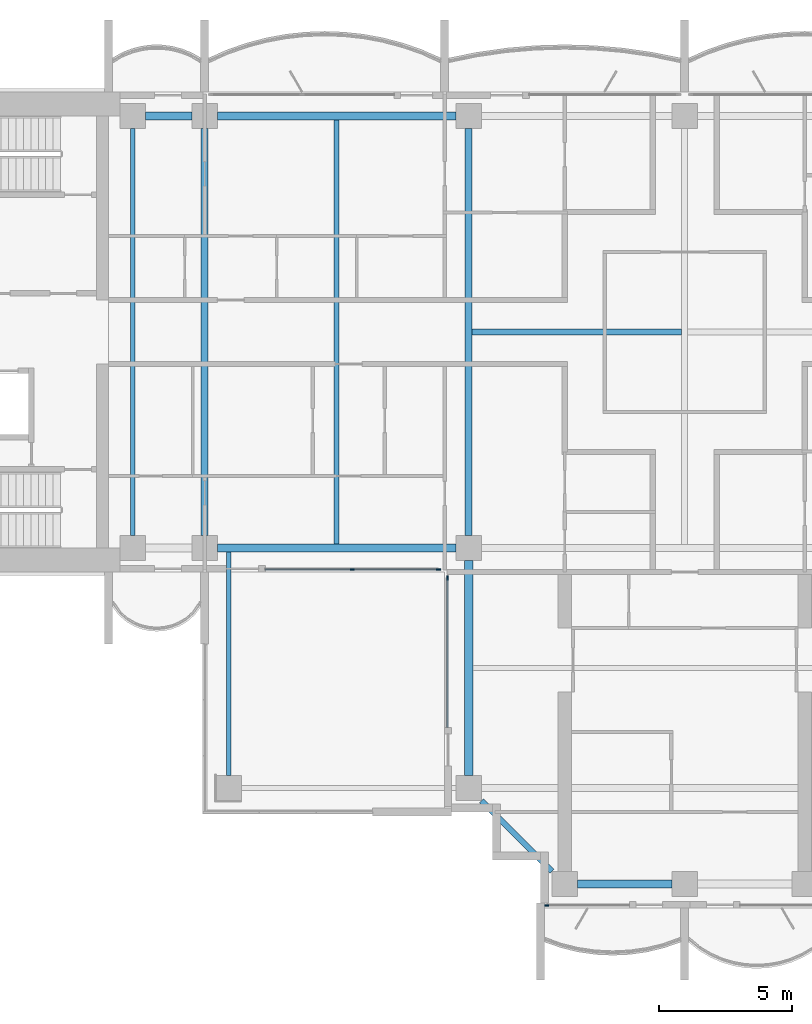
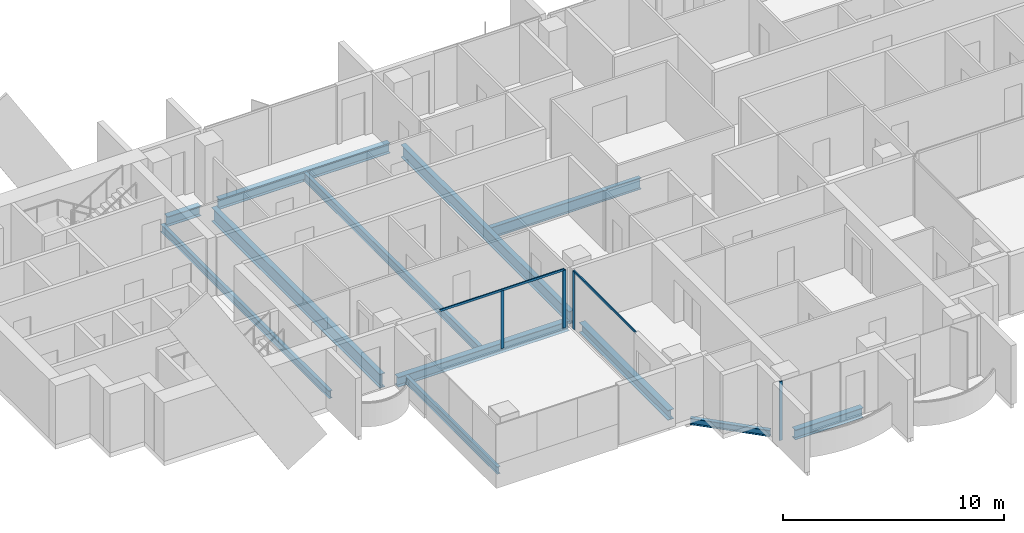
# One storey, part 2 of 17: 12 beams, 6 members, 3 elements without a shape of their own.
"""IFC4 building model written with IfcOpenShell, lengths in metres."""

from ifc_helpers import new_model, si_unit, direction, frame, origin, origin_2d, place, context, subcontext, project, spatial, rectangle, i_section, extrude, material, material_profile, profile_set, type_object, element, aggregate, save


model = new_model("IFC4")

# Units and contexts
model_context = context("Model", 3, precision=1e-05, world=origin(), true_north=direction((0.0, 1.0)))
body_context = subcontext(model_context, "Body", "Model", "MODEL_VIEW")
ifc_project = project(units=[si_unit("LENGTHUNIT", "METRE"), si_unit("AREAUNIT", "SQUARE_METRE"), si_unit("VOLUMEUNIT", "CUBIC_METRE"), si_unit("PLANEANGLEUNIT", "RADIAN"), si_unit("MASSUNIT", "GRAM", prefix="KILO")], contexts=[model_context])

# Site, building, storey
site_placement = place(None, origin())
site = spatial("IfcSite", under=ifc_project, at=site_placement, CompositionType="ELEMENT")
building_placement = place(site_placement, origin())
building = spatial("IfcBuilding", under=site, at=building_placement, Name="Perihelion Cross Residences", CompositionType="ELEMENT")
storey_placement = place(building_placement, frame((0.0, 0.0, 208.60009765625)))
storey = spatial("IfcBuildingStorey", under=building, at=storey_placement, Name="L52", CompositionType="ELEMENT", Elevation=208.60009765625)

# Curtain wall, members
ifc_material_1 = material(Name="Bronze anodised aluminium, tinted glazing", Category="aluminium")
curtain_wall_type = type_object("IfcCurtainWallType", Name="CW1", PredefinedType="NOTDEFINED", material=ifc_material_1)
curtain_wall_1_placement = place(storey_placement, origin())
curtain_wall_1 = element("IfcCurtainWall", 1, at=curtain_wall_1_placement, inside=storey, type_object=curtain_wall_type, Name="Curtain wall CW1 L52 west side south bay 2", PredefinedType="NOTDEFINED")
ifc_material_2 = material(Name="Bronze anodised aluminium", Category="aluminium")
ifc_material_profile_1 = material_profile(ifc_material_2, rectangle(XDim=0.06005859375, YDim=0.159912109375, at=origin_2d()), Name="CW1 mullion")
ifc_profile_set_1 = profile_set([ifc_material_profile_1], Name="Bronze anodised aluminium")
member_type_1 = type_object("IfcMemberType", Name="CW1 mullion", PredefinedType="MULLION", material=ifc_profile_set_1)
member_1_placement = place(storey_placement, frame((-12.46240234375, -8.89990234375, 0.0), z_axis=(0.0, 0.0, 1.0), x_axis=(0.0, 1.0, 0.0)))
member_1 = element("IfcMember", 2, at=member_1_placement, type_object=member_type_1, Name="CW1 mullion 2", PredefinedType="MULLION", context=body_context, shape_type="SweptSolid", body=[
    extrude(rectangle(XDim=0.06005859375, YDim=0.159912109375, at=origin_2d()), origin(), (0.0, 0.0, 1.0), 3.18994140625),
])
member_2_placement = place(storey_placement, frame((-9.22998046875, -8.89990234375, 0.0), z_axis=(0.0, 0.0, 1.0), x_axis=(0.0, 1.0, 0.0)))
member_2 = element("IfcMember", 3, at=member_2_placement, type_object=member_type_1, Name="CW1 mullion 3", PredefinedType="MULLION", context=body_context, shape_type="SweptSolid", body=[
    extrude(rectangle(XDim=0.06005859375, YDim=0.159912109375, at=origin_2d()), origin(), (0.0, 0.0, 1.0), 3.18994140625),
])

# Curtain wall, member
curtain_wall_2_placement = place(storey_placement, origin())
curtain_wall_2 = element("IfcCurtainWall", 4, at=curtain_wall_2_placement, inside=storey, type_object=curtain_wall_type, Name="Curtain wall CW1 L52 south side west bay 1", PredefinedType="NOTDEFINED")
member_3_placement = place(storey_placement, frame((-8.89990234375, -9.22998046875, 0.0), z_axis=(0.0, 0.0, 1.0), x_axis=(1.0, 0.0, 0.0)))
member_3 = element("IfcMember", 5, at=member_3_placement, type_object=member_type_1, Name="CW1 mullion 1", PredefinedType="MULLION", context=body_context, shape_type="SweptSolid", body=[
    extrude(rectangle(XDim=0.06005859375, YDim=0.159912109375, at=origin_2d()), origin(), (0.0, 0.0, 1.0), 3.18994140625),
])

curtain_wall_3_placement = place(storey_placement, origin())
curtain_wall_3 = element("IfcCurtainWall", 6, at=curtain_wall_3_placement, inside=storey, type_object=curtain_wall_type, Name="Curtain wall CW1 L52 south tip south bay 1", PredefinedType="NOTDEFINED")
member_4_placement = place(storey_placement, frame((-5.169921875, -21.5, 0.0), z_axis=(0.0, 0.0, 1.0), x_axis=(0.0, 1.0, 0.0)))
member_4 = element("IfcMember", 7, at=member_4_placement, type_object=member_type_1, Name="CW1 mullion 1", PredefinedType="MULLION", context=body_context, shape_type="SweptSolid", body=[
    extrude(rectangle(XDim=0.06005859375, YDim=0.159912109375, at=origin_2d()), origin(), (0.0, 0.0, 1.0), 3.25),
])
aggregate(curtain_wall_3, [member_4])

# Member
ifc_material_3 = material(Name="Bronze anodised aluminium", Category="aluminium")
ifc_material_profile_2 = material_profile(ifc_material_3, rectangle(XDim=0.06005859375, YDim=0.1201171875, at=origin_2d()), Name="CW1 transom")
ifc_profile_set_2 = profile_set([ifc_material_profile_2], Name="Bronze anodised aluminium")
member_type_2 = type_object("IfcMemberType", Name="CW1 transom", PredefinedType="USERDEFINED", material=ifc_profile_set_2)
member_5_placement = place(storey_placement, frame((-15.72509765625, -8.89990234375, 3.219970703125), z_axis=(1.0, 0.0, 0.0), x_axis=(0.0, 1.0, 0.0)))
member_5 = element("IfcMember", 8, at=member_5_placement, type_object=member_type_2, Name="CW1 head transom", ObjectType="TRANSOM", PredefinedType="USERDEFINED", context=body_context, shape_type="SweptSolid", body=[
    extrude(rectangle(XDim=0.06005859375, YDim=0.1201171875, at=origin_2d()), origin(), (0.0, 0.0, 1.0), 6.4951171875),
])

aggregate(curtain_wall_1, [member_1, member_2, member_5])

member_6_placement = place(storey_placement, frame((-8.89990234375, -9.22998046875, 3.219970703125), z_axis=(0.0, -1.0, 0.0), x_axis=(1.0, 0.0, 0.0)))
member_6 = element("IfcMember", 9, at=member_6_placement, type_object=member_type_2, Name="CW1 head transom", ObjectType="TRANSOM", PredefinedType="USERDEFINED", context=body_context, shape_type="SweptSolid", body=[
    extrude(rectangle(XDim=0.06005859375, YDim=0.1201171875, at=origin_2d()), origin(), (0.0, 0.0, 1.0), 5.594970703125),
])

aggregate(curtain_wall_2, [member_3, member_6])

# Beams
ifc_material_4 = material(Name="Steel S355", Category="steel")
ifc_material_profile_3 = material_profile(ifc_material_4, i_section(OverallWidth=0.177978515625, OverallDepth=0.406005859375, WebThickness=0.0078125, FlangeThickness=0.0126953125, at=origin_2d()), Name="W410x60")
ifc_profile_set_3 = profile_set([ifc_material_profile_3], Name="Steel S355")
beam_type_1 = type_object("IfcBeamType", Name="Core edge beam W410x60", PredefinedType="BEAM", material=ifc_profile_set_3)
beam_1_placement = place(storey_placement, frame((-17.10009765625, -8.256103515625, -0.453125), z_axis=(0.0, -1.0, 0.0), x_axis=(1.0, 0.0, 0.0)))
element("IfcBeam", 10, at=beam_1_placement, inside=storey, type_object=beam_type_1, Name="Core edge beam TB2 L52 corner no. 1", PredefinedType="BEAM", context=body_context, shape_type="SweptSolid", body=[
    extrude(i_section(OverallWidth=0.177978515625, OverallDepth=0.406005859375, WebThickness=0.0078125, FlangeThickness=0.0126953125, at=origin_2d()), origin(), (0.0, 0.0, 1.0), 8.368896484375),
])
ifc_material_5 = material(Name="Steel S355", Category="steel")
ifc_material_profile_4 = material_profile(ifc_material_5, i_section(OverallWidth=0.180908203125, OverallDepth=0.4169921875, WebThickness=0.010986328125, FlangeThickness=0.018310546875, at=origin_2d()), Name="W410x85")
ifc_profile_set_4 = profile_set([ifc_material_profile_4], Name="Steel S355")
beam_type_2 = type_object("IfcBeamType", Name="Core edge beam W410x85", PredefinedType="BEAM", material=ifc_profile_set_4)
beam_2_placement = place(storey_placement, frame((-20.699951171875, -7.625, -0.45849609375), z_axis=(0.0, 1.0, 0.0), x_axis=(-1.0, 0.0, 0.0)))
element("IfcBeam", 11, at=beam_2_placement, inside=storey, type_object=beam_type_2, Name="Core edge beam TB6 L52 no. 1", PredefinedType="BEAM", context=body_context, shape_type="SweptSolid", body=[
    extrude(i_section(OverallWidth=0.180908203125, OverallDepth=0.4169921875, WebThickness=0.010986328125, FlangeThickness=0.018310546875, at=origin_2d()), origin(), (0.0, 0.0, 1.0), 15.25),
])
ifc_material_6 = material(Name="Steel S355", Category="steel")
ifc_material_profile_5 = material_profile(ifc_material_6, i_section(OverallWidth=0.31201171875, OverallDepth=0.5439453125, WebThickness=0.0126953125, FlangeThickness=0.020263671875, at=origin_2d()), Name="W530x150")
ifc_profile_set_5 = profile_set([ifc_material_profile_5], Name="Steel S355")
beam_type_3 = type_object("IfcBeamType", Name="Edge beam W530x150", PredefinedType="SPANDREL", material=ifc_profile_set_5)
beam_3_placement = place(storey_placement, frame((-8.574951171875, 8.10009765625, -0.522216796875), z_axis=(-1.0, 0.0, 0.0), x_axis=(0.0, -1.0, 0.0)))
element("IfcBeam", 12, at=beam_3_placement, inside=storey, type_object=beam_type_3, Name="Edge beam SB4 L52 no. 6", PredefinedType="SPANDREL", context=body_context, shape_type="SweptSolid", body=[
    extrude(i_section(OverallWidth=0.31201171875, OverallDepth=0.5439453125, WebThickness=0.0126953125, FlangeThickness=0.020263671875, at=origin_2d()), origin(), (0.0, 0.0, 1.0), 8.949951171875),
])
beam_4_placement = place(storey_placement, frame((-18.47509765625, 8.10009765625, -0.522216796875), z_axis=(-1.0, 0.0, 0.0), x_axis=(0.0, -1.0, 0.0)))
element("IfcBeam", 13, at=beam_4_placement, inside=storey, type_object=beam_type_3, Name="Edge beam SB4 L52 no. 2", PredefinedType="SPANDREL", context=body_context, shape_type="SweptSolid", body=[
    extrude(i_section(OverallWidth=0.31201171875, OverallDepth=0.5439453125, WebThickness=0.0126953125, FlangeThickness=0.020263671875, at=origin_2d()), origin(), (0.0, 0.0, 1.0), 1.75),
])
beam_5_placement = place(storey_placement, frame((-17.52490234375, -8.10009765625, -0.522216796875), z_axis=(1.0, 0.0, 0.0), x_axis=(0.0, 1.0, 0.0)))
element("IfcBeam", 14, at=beam_5_placement, inside=storey, type_object=beam_type_3, Name="Edge beam SB4 L52 no. 1", PredefinedType="SPANDREL", context=body_context, shape_type="SweptSolid", body=[
    extrude(i_section(OverallWidth=0.31201171875, OverallDepth=0.5439453125, WebThickness=0.0126953125, FlangeThickness=0.020263671875, at=origin_2d()), origin(), (0.0, 0.0, 1.0), 8.949951171875),
])
beam_6_placement = place(storey_placement, frame((-8.10009765625, -8.574951171875, -0.522216796875), z_axis=(0.0, -1.0, 0.0), x_axis=(1.0, 0.0, 0.0)))
element("IfcBeam", 15, at=beam_6_placement, inside=storey, type_object=beam_type_3, Name="Edge beam SB4 L52 no. 5", PredefinedType="SPANDREL", context=body_context, shape_type="SweptSolid", body=[
    extrude(i_section(OverallWidth=0.31201171875, OverallDepth=0.5439453125, WebThickness=0.0126953125, FlangeThickness=0.020263671875, at=origin_2d()), origin(), (0.0, 0.0, 1.0), 8.050048828125),
])
beam_7_placement = place(storey_placement, frame((-4.02490234375, -20.699951171875, -0.522216796875), z_axis=(1.0, 0.0, 0.0), x_axis=(0.0, 1.0, 0.0)))
element("IfcBeam", 16, at=beam_7_placement, inside=storey, type_object=beam_type_3, Name="Edge beam SB4 L52 no. 4", PredefinedType="SPANDREL", context=body_context, shape_type="SweptSolid", body=[
    extrude(i_section(OverallWidth=0.31201171875, OverallDepth=0.5439453125, WebThickness=0.0126953125, FlangeThickness=0.020263671875, at=origin_2d()), origin(), (0.0, 0.0, 1.0), 3.5498046875),
])
ifc_material_7 = material(Name="Steel S355", Category="steel")
ifc_material_profile_6 = material_profile(ifc_material_7, i_section(OverallWidth=0.26708984375, OverallDepth=0.77001953125, WebThickness=0.015625, FlangeThickness=0.025390625, at=origin_2d()), Name="W760x196")
ifc_profile_set_6 = profile_set([ifc_material_profile_6], Name="Steel S355")
beam_type_4 = type_object("IfcBeamType", Name="Floor girder W760x196", PredefinedType="BEAM", material=ifc_profile_set_6)
beam_8_placement = place(storey_placement, frame((-18.0, -7.625, -0.635009765625), z_axis=(0.0, 1.0, 0.0), x_axis=(-1.0, 0.0, 0.0)))
element("IfcBeam", 17, at=beam_8_placement, inside=storey, type_object=beam_type_4, Name="Girder G4 L52 no. 1", PredefinedType="BEAM", context=body_context, shape_type="SweptSolid", body=[
    extrude(i_section(OverallWidth=0.26708984375, OverallDepth=0.77001953125, WebThickness=0.015625, FlangeThickness=0.025390625, at=origin_2d()), origin(), (0.0, 0.0, 1.0), 15.25),
])
ifc_material_8 = material(Name="Steel S355", Category="steel")
ifc_material_profile_7 = material_profile(ifc_material_8, i_section(OverallWidth=0.19091796875, OverallDepth=0.45703125, WebThickness=0.009033203125, FlangeThickness=0.014404296875, at=origin_2d()), Name="W460x74")
ifc_profile_set_7 = profile_set([ifc_material_profile_7], Name="Steel S355")
beam_type_5 = type_object("IfcBeamType", Name="Floor joist W460x74", PredefinedType="JOIST", material=ifc_profile_set_7)
beam_9_placement = place(storey_placement, frame((-13.050048828125, -7.944091796875, -0.478515625), z_axis=(0.0, 1.0, 0.0), x_axis=(-1.0, 0.0, 0.0)))
element("IfcBeam", 18, at=beam_9_placement, inside=storey, type_object=beam_type_5, Name="Joist J5 L52 no. 1", PredefinedType="JOIST", context=body_context, shape_type="SweptSolid", body=[
    extrude(i_section(OverallWidth=0.19091796875, OverallDepth=0.45703125, WebThickness=0.009033203125, FlangeThickness=0.014404296875, at=origin_2d()), origin(), (0.0, 0.0, 1.0), 15.88818359375),
])
ifc_material_9 = material(Name="Steel S355", Category="steel")
ifc_material_profile_8 = material_profile(ifc_material_9, i_section(OverallWidth=0.22900390625, OverallDepth=0.612060546875, WebThickness=0.011962890625, FlangeThickness=0.01953125, at=origin_2d()), Name="W610x125")
ifc_profile_set_8 = profile_set([ifc_material_profile_8], Name="Steel S355")
beam_type_6 = type_object("IfcBeamType", Name="Hub cross beam W610x125", PredefinedType="BEAM", material=ifc_profile_set_8)
beam_10_placement = place(storey_placement, frame((-7.971435546875, 0.0, -0.55615234375), z_axis=(1.0, 0.0, 0.0), x_axis=(0.0, 1.0, 0.0)))
element("IfcBeam", 19, at=beam_10_placement, inside=storey, type_object=beam_type_6, Name="Hub cross beam XB4 L52 1 no. 1", PredefinedType="BEAM", context=body_context, shape_type="SweptSolid", body=[
    extrude(i_section(OverallWidth=0.22900390625, OverallDepth=0.612060546875, WebThickness=0.011962890625, FlangeThickness=0.01953125, at=origin_2d()), origin(), (0.0, 0.0, 1.0), 7.85693359375),
])
ifc_material_10 = material(Name="Steel S355", Category="steel")
ifc_material_profile_9 = material_profile(ifc_material_10, i_section(OverallWidth=0.257080078125, OverallDepth=0.693115234375, WebThickness=0.014404296875, FlangeThickness=0.023681640625, at=origin_2d()), Name="W690x170")
ifc_profile_set_9 = profile_set([ifc_material_profile_9], Name="Steel S355")
beam_type_7 = type_object("IfcBeamType", Name="Hub ring girder W690x170", PredefinedType="BEAM", material=ifc_profile_set_9)
beam_11_placement = place(storey_placement, frame((-8.10009765625, 7.625, -0.5966796875), z_axis=(0.0, -1.0, 0.0), x_axis=(1.0, 0.0, 0.0)))
element("IfcBeam", 20, at=beam_11_placement, inside=storey, type_object=beam_type_7, Name="Hub ring girder RG4 L52 no. 2", PredefinedType="BEAM", context=body_context, shape_type="SweptSolid", body=[
    extrude(i_section(OverallWidth=0.257080078125, OverallDepth=0.693115234375, WebThickness=0.014404296875, FlangeThickness=0.023681640625, at=origin_2d()), origin(), (0.0, 0.0, 1.0), 15.25),
])
ifc_material_11 = material(Name="Steel S355", Category="steel")
ifc_material_profile_10 = material_profile(ifc_material_11, i_section(OverallWidth=0.205078125, OverallDepth=0.35302734375, WebThickness=0.009521484375, FlangeThickness=0.016845703125, at=origin_2d()), Name="W360x79")
ifc_profile_set_10 = profile_set([ifc_material_profile_10], Name="Steel S355")
beam_type_8 = type_object("IfcBeamType", Name="Serration edge beam W360x79", PredefinedType="BEAM", material=ifc_profile_set_10)
beam_12_placement = place(storey_placement, frame((-7.625, -17.574951171875, -0.426513671875), z_axis=(0.70707420838, -0.707139352493, 0.0), x_axis=(0.707139352493, 0.70707420838, 0.0)))
element("IfcBeam", 21, at=beam_12_placement, inside=storey, type_object=beam_type_8, Name="Serration edge beam EB4 L52 no. 1", PredefinedType="BEAM", context=body_context, shape_type="SweptSolid", body=[
    extrude(i_section(OverallWidth=0.205078125, OverallDepth=0.35302734375, WebThickness=0.009521484375, FlangeThickness=0.016845703125, at=origin_2d()), origin(), (0.0, 0.0, 1.0), 3.747802734375),
])

save(model, "model.ifc")
